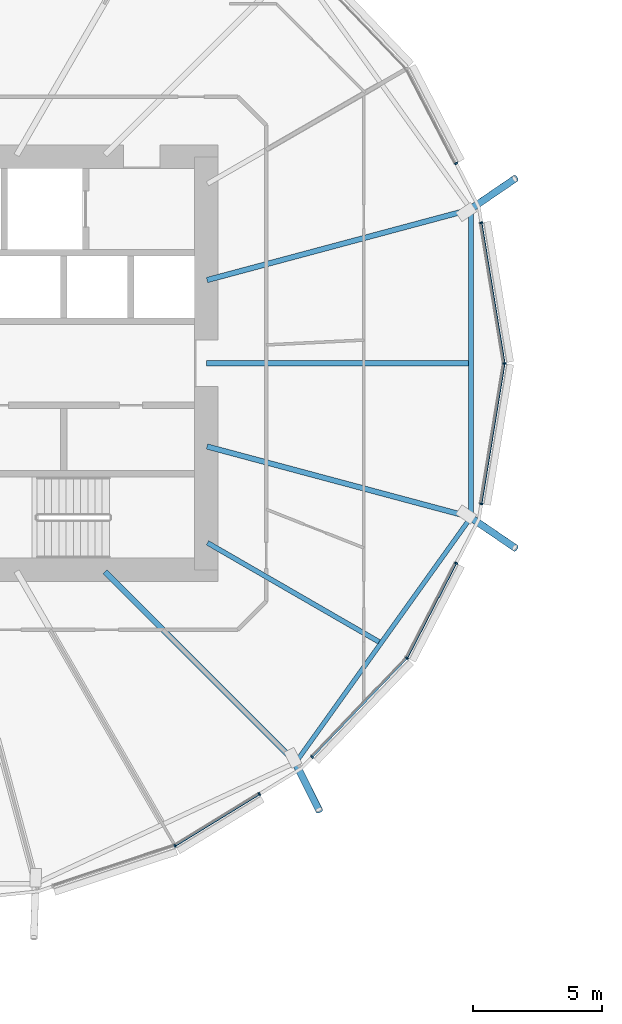
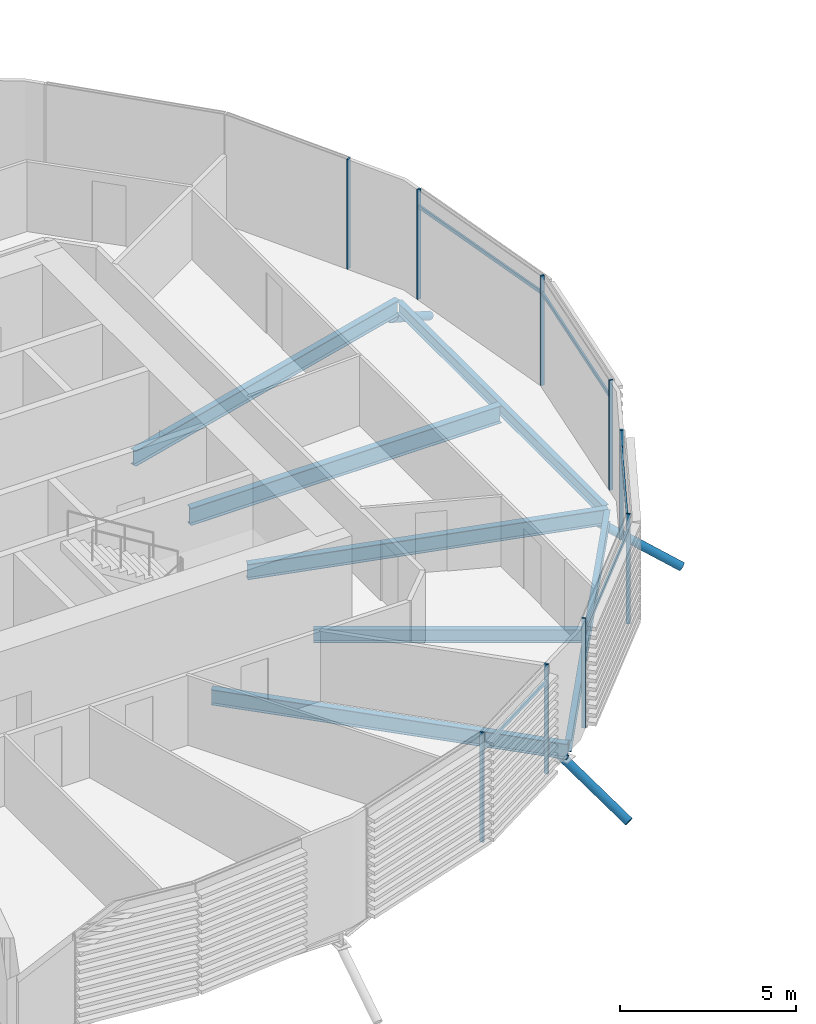
# One storey, part 7 of 38: 17 members, 7 beams, 1 element without a shape of its own.
"""IFC4 building model written with IfcOpenShell, lengths in metres."""

from ifc_helpers import new_model, si_unit, direction, frame, origin, origin_2d, place, context, subcontext, project, spatial, rectangle, hollow_circle, i_section, extrude, clip, halfspace, material, material_profile, profile_set, type_object, element, aggregate, save


model = new_model("IFC4")

# Units and contexts
model_context = context("Model", 3, precision=1e-05, world=origin(), true_north=direction((0.0, 1.0)))
body_context = subcontext(model_context, "Body", "Model", "MODEL_VIEW")
ifc_project = project(units=[si_unit("LENGTHUNIT", "METRE"), si_unit("AREAUNIT", "SQUARE_METRE"), si_unit("VOLUMEUNIT", "CUBIC_METRE"), si_unit("PLANEANGLEUNIT", "RADIAN"), si_unit("MASSUNIT", "GRAM", prefix="KILO")], contexts=[model_context])

# Site, building, storey
site_placement = place(None, origin())
site = spatial("IfcSite", under=ifc_project, at=site_placement, CompositionType="ELEMENT")
building_placement = place(site_placement, origin())
building = spatial("IfcBuilding", under=site, at=building_placement, Name="Rimbun Link Towers", CompositionType="ELEMENT")
storey_placement = place(building_placement, frame((0.0, 0.0, 68.0)))
storey = spatial("IfcBuildingStorey", under=building, at=storey_placement, Name="L16", CompositionType="ELEMENT", Elevation=68.0)

# Curtain wall, members
ifc_material_1 = material(Name="Aluminium 6063-T6 and low-iron glass", Category="aluminium")
curtain_wall_type = type_object("IfcCurtainWallType", Name="CW1 unitised vision wall", PredefinedType="NOTDEFINED", material=ifc_material_1)
curtain_wall_placement = place(storey_placement, origin())
curtain_wall = element("IfcCurtainWall", 1, at=curtain_wall_placement, inside=storey, type_object=curtain_wall_type, Name="CW1 L16 T1", PredefinedType="NOTDEFINED")
ifc_material_2 = material(Name="Aluminium 6063-T6", Category="aluminium")
ifc_material_profile_1 = material_profile(ifc_material_2, rectangle(XDim=0.1201171875, YDim=0.06005859375, at=origin_2d()), Name="MULLION 60X120")
ifc_profile_set_1 = profile_set([ifc_material_profile_1], Name="Aluminium 6063-T6")
member_type_1 = type_object("IfcMemberType", Name="CW1 mullion 60X120", PredefinedType="MULLION", material=ifc_profile_set_1)
member_1_placement = place(storey_placement, frame((-9.090576171875, 5.447265625, 0.0), z_axis=(0.0, 0.0, 1.0), x_axis=(0.986748097792, 0.162259642251, 0.0)))
member_1 = element("IfcMember", 2, at=member_1_placement, type_object=member_type_1, Name="CW1 mullion", PredefinedType="MULLION", context=body_context, shape_type="SweptSolid", body=[
    extrude(rectangle(XDim=0.1201171875, YDim=0.06005859375, at=origin_2d()), origin(), (0.0, 0.0, 1.0), 3.800048828125),
])
member_2_placement = place(storey_placement, frame((-8.19580078125, 0.0, 0.0), z_axis=(0.0, 0.0, 1.0), x_axis=(1.0, 0.0, 0.0)))
member_2 = element("IfcMember", 3, at=member_2_placement, type_object=member_type_1, Name="CW1 mullion", PredefinedType="MULLION", context=body_context, shape_type="SweptSolid", body=[
    extrude(rectangle(XDim=0.1201171875, YDim=0.06005859375, at=origin_2d()), origin(), (0.0, 0.0, 1.0), 3.800048828125),
])
member_3_placement = place(storey_placement, frame((-10.067138671875, 7.74462890625, 0.0), z_axis=(0.0, 0.0, 1.0), x_axis=(0.888148629228, 0.45955632125, 0.0)))
member_3 = element("IfcMember", 4, at=member_3_placement, type_object=member_type_1, Name="CW1 mullion", PredefinedType="MULLION", context=body_context, shape_type="SweptSolid", body=[
    extrude(rectangle(XDim=0.1201171875, YDim=0.06005859375, at=origin_2d()), origin(), (0.0, 0.0, 1.0), 3.800048828125),
])
member_4_placement = place(storey_placement, frame((-20.959716796875, -18.699951171875, 0.0), z_axis=(0.0, 0.0, 1.0), x_axis=(0.421698890318, -0.906735929532, 0.0)))
member_4 = element("IfcMember", 5, at=member_4_placement, type_object=member_type_1, Name="CW1 mullion", PredefinedType="MULLION", context=body_context, shape_type="SweptSolid", body=[
    extrude(rectangle(XDim=0.1201171875, YDim=0.06005859375, at=origin_2d()), origin(), (0.0, 0.0, 1.0), 3.800048828125),
])
member_5_placement = place(storey_placement, frame((-17.690185546875, -16.69287109375, 0.0), z_axis=(0.0, 0.0, 1.0), x_axis=(0.523239240316, -0.852185835011, 0.0)))
member_5 = element("IfcMember", 6, at=member_5_placement, type_object=member_type_1, Name="CW1 mullion", PredefinedType="MULLION", context=body_context, shape_type="SweptSolid", body=[
    extrude(rectangle(XDim=0.1201171875, YDim=0.06005859375, at=origin_2d()), origin(), (0.0, 0.0, 1.0), 3.800048828125),
])
member_6_placement = place(storey_placement, frame((-11.972412109375, -11.42529296875, 0.0), z_axis=(0.0, 0.0, 1.0), x_axis=(0.813351214919, -0.581772980801, 0.0)))
member_6 = element("IfcMember", 7, at=member_6_placement, type_object=member_type_1, Name="CW1 mullion", PredefinedType="MULLION", context=body_context, shape_type="SweptSolid", body=[
    extrude(rectangle(XDim=0.1201171875, YDim=0.06005859375, at=origin_2d()), origin(), (0.0, 0.0, 1.0), 3.800048828125),
])
member_7_placement = place(storey_placement, frame((-15.643798828125, -15.256103515625, 0.0), z_axis=(0.0, 0.0, 1.0), x_axis=(0.721854427226, -0.692044930546, 0.0)))
member_7 = element("IfcMember", 8, at=member_7_placement, type_object=member_type_1, Name="CW1 mullion", PredefinedType="MULLION", context=body_context, shape_type="SweptSolid", body=[
    extrude(rectangle(XDim=0.1201171875, YDim=0.06005859375, at=origin_2d()), origin(), (0.0, 0.0, 1.0), 3.800048828125),
])
member_8_placement = place(storey_placement, frame((-10.067138671875, -7.74462890625, 0.0), z_axis=(0.0, 0.0, 1.0), x_axis=(0.888148629228, -0.45955632125, 0.0)))
member_8 = element("IfcMember", 9, at=member_8_placement, type_object=member_type_1, Name="CW1 mullion", PredefinedType="MULLION", context=body_context, shape_type="SweptSolid", body=[
    extrude(rectangle(XDim=0.1201171875, YDim=0.06005859375, at=origin_2d()), origin(), (0.0, 0.0, 1.0), 3.800048828125),
])
member_9_placement = place(storey_placement, frame((-9.090576171875, -5.447265625, 0.0), z_axis=(0.0, 0.0, 1.0), x_axis=(0.986748097792, -0.162259642251, 0.0)))
member_9 = element("IfcMember", 10, at=member_9_placement, type_object=member_type_1, Name="CW1 mullion", PredefinedType="MULLION", context=body_context, shape_type="SweptSolid", body=[
    extrude(rectangle(XDim=0.1201171875, YDim=0.06005859375, at=origin_2d()), origin(), (0.0, 0.0, 1.0), 3.800048828125),
])
ifc_material_3 = material(Name="Aluminium 6063-T6", Category="aluminium")
ifc_material_profile_2 = material_profile(ifc_material_3, rectangle(XDim=0.06005859375, YDim=0.1201171875, at=origin_2d()), Name="TRANSOM 60X120")
ifc_profile_set_2 = profile_set([ifc_material_profile_2], Name="Aluminium 6063-T6")
member_type_2 = type_object("IfcMemberType", Name="CW1 transom 60X120", PredefinedType="USERDEFINED", material=ifc_profile_set_2)
member_10_placement = place(storey_placement, frame((-9.087646484375, 5.41748046875, 3.199951171875), z_axis=(0.162234082271, -0.986752300504, 0.0), x_axis=(0.986752300504, 0.162234082271, 0.0)))
member_10 = element("IfcMember", 11, at=member_10_placement, type_object=member_type_2, Name="CW1 transom", ObjectType="TRANSOM", PredefinedType="USERDEFINED", context=body_context, shape_type="SweptSolid", body=[
    extrude(rectangle(XDim=0.06005859375, YDim=0.1201171875, at=origin_2d()), origin(), (0.0, 0.0, 1.0), 5.45068359375),
])
member_11_placement = place(storey_placement, frame((-17.716796875, -16.706787109375, 3.199951171875), z_axis=(-0.852184905229, -0.523240754624, 0.0), x_axis=(0.523240754624, -0.852184905229, 0.0)))
member_11 = element("IfcMember", 12, at=member_11_placement, type_object=member_type_2, Name="CW1 transom", ObjectType="TRANSOM", PredefinedType="USERDEFINED", context=body_context, shape_type="SweptSolid", body=[
    extrude(rectangle(XDim=0.06005859375, YDim=0.1201171875, at=origin_2d()), origin(), (0.0, 0.0, 1.0), 3.76953125),
])
member_12_placement = place(storey_placement, frame((-12.0, -11.452392578125, 3.199951171875), z_axis=(-0.692056205714, -0.721843617505, 0.0), x_axis=(0.721843617505, -0.692056205714, 0.0)))
member_12 = element("IfcMember", 13, at=member_12_placement, type_object=member_type_2, Name="CW1 transom", ObjectType="TRANSOM", PredefinedType="USERDEFINED", context=body_context, shape_type="SweptSolid", body=[
    extrude(rectangle(XDim=0.06005859375, YDim=0.1201171875, at=origin_2d()), origin(), (0.0, 0.0, 1.0), 5.2373046875),
])
member_13_placement = place(storey_placement, frame((-10.08251953125, -7.770263671875, 3.199951171875), z_axis=(-0.45955652042, -0.888148526171, 0.0), x_axis=(0.888148526171, -0.45955652042, 0.0)))
member_13 = element("IfcMember", 14, at=member_13_placement, type_object=member_type_2, Name="CW1 transom", ObjectType="TRANSOM", PredefinedType="USERDEFINED", context=body_context, shape_type="SweptSolid", body=[
    extrude(rectangle(XDim=0.06005859375, YDim=0.1201171875, at=origin_2d()), origin(), (0.0, 0.0, 1.0), 4.076416015625),
])
member_14_placement = place(storey_placement, frame((-8.203369140625, -0.0390625, 3.199951171875), z_axis=(-0.162234082271, -0.986752300504, 0.0), x_axis=(0.986752300504, -0.162234082271, 0.0)))
member_14 = element("IfcMember", 15, at=member_14_placement, type_object=member_type_2, Name="CW1 transom", ObjectType="TRANSOM", PredefinedType="USERDEFINED", context=body_context, shape_type="SweptSolid", body=[
    extrude(rectangle(XDim=0.06005859375, YDim=0.1201171875, at=origin_2d()), origin(), (0.0, 0.0, 1.0), 5.45068359375),
])
aggregate(curtain_wall, [member_1, member_2, member_3, member_4, member_5, member_6, member_7, member_8, member_9, member_10, member_11, member_12, member_13, member_14])

# Members
ifc_material_4 = material(Name="Steel S355J2H", Category="steel")
ifc_material_profile_3 = material_profile(ifc_material_4, hollow_circle(Radius=0.136474609375, WallThickness=0.012451171875, at=origin_2d()), Name="CHS 273x12.5")
ifc_profile_set_3 = profile_set([ifc_material_profile_3], Name="Steel S355J2H")
member_type_3 = type_object("IfcMemberType", Name="Floor edge link CHS 273x12.5", PredefinedType="BRACE", material=ifc_profile_set_3)
member_15_placement = place(storey_placement, frame((-9.542724609375, 5.950439453125, -0.81005859375), z_axis=(0.709572769408, 0.484749932232, -0.511394161206), x_axis=(-0.564091506666, 0.825712281674, 0.0)))
element("IfcMember", 16, at=member_15_placement, inside=storey, type_object=member_type_3, Name="Floor edge link T1 L16 01", PredefinedType="BRACE", context=body_context, shape_type="Clipping", body=[
    clip(extrude(hollow_circle(Radius=0.136474609375, WallThickness=0.012451171875, at=origin_2d()), frame((0.0, 0.0, -0.478271484375)), (0.0, 0.0, 1.0), 2.989013671875), halfspace(frame((0.0, 0.0, -0.224853515625), z_axis=(0.0, 0.859346270071, -0.511394161206)), False)),
])
member_16_placement = place(storey_placement, frame((-16.319580078125, -15.430419921875, -0.809814453125), z_axis=(0.382890697055, -0.76744869479, -0.514215144637), x_axis=(0.894815654671, 0.44643582311, 0.0)))
element("IfcMember", 17, at=member_16_placement, inside=storey, type_object=member_type_3, Name="Floor edge link T1 L16 21", PredefinedType="BRACE", context=body_context, shape_type="Clipping", body=[
    clip(extrude(hollow_circle(Radius=0.136474609375, WallThickness=0.012451171875, at=origin_2d()), frame((0.0, 0.0, -0.474609375)), (0.0, 0.0, 1.0), 2.9638671875), halfspace(frame((0.0, 0.0, -0.22314453125), z_axis=(0.0, 0.857661229756, -0.514215144637)), False)),
])
member_17_placement = place(storey_placement, frame((-9.542724609375, -5.950439453125, -0.81005859375), z_axis=(0.709572769408, -0.484749932232, -0.511394161206), x_axis=(0.564091506666, 0.825712281674, 0.0)))
element("IfcMember", 18, at=member_17_placement, inside=storey, type_object=member_type_3, Name="Floor edge link T1 L16 23", PredefinedType="BRACE", context=body_context, shape_type="Clipping", body=[
    clip(extrude(hollow_circle(Radius=0.136474609375, WallThickness=0.012451171875, at=origin_2d()), frame((0.0, 0.0, -0.478271484375)), (0.0, 0.0, 1.0), 2.989013671875), halfspace(frame((0.0, 0.0, -0.224853515625), z_axis=(0.0, 0.859346270071, -0.511394161206)), False)),
])

# Beams
ifc_material_5 = material(Name="Steel S355J2", Category="steel")
ifc_material_profile_4 = material_profile(ifc_material_5, i_section(OverallWidth=0.177978515625, OverallDepth=0.406494140625, WebThickness=0.0078125, FlangeThickness=0.0126953125, at=origin_2d()), Name="UB 406x178x60")
ifc_profile_set_4 = profile_set([ifc_material_profile_4], Name="Steel S355J2")
beam_type_1 = type_object("IfcBeamType", Name="UB 406x178x60", PredefinedType="BEAM", material=ifc_profile_set_4)
beam_1_placement = place(storey_placement, frame((-16.221923828125, -15.378662109375, -0.36328125), z_axis=(0.581367171952, 0.813641328459, 0.0), x_axis=(-0.813641328459, 0.581367171952, 0.0)))
element("IfcBeam", 19, at=beam_1_placement, inside=storey, type_object=beam_type_1, Name="Edge beam T1 L16 21-23", PredefinedType="BEAM", context=body_context, shape_type="SweptSolid", body=[
    extrude(i_section(OverallWidth=0.177978515625, OverallDepth=0.406494140625, WebThickness=0.0078125, FlangeThickness=0.0126953125, at=origin_2d()), origin(), (0.0, 0.0, 1.0), 11.458984375),
])
beam_2_placement = place(storey_placement, frame((-9.494384765625, -5.85400390625, -0.36328125), z_axis=(0.0, 1.0, 0.0), x_axis=(-1.0, 0.0, 0.0)))
element("IfcBeam", 20, at=beam_2_placement, inside=storey, type_object=beam_type_1, Name="Edge beam T1 L16 23-01", PredefinedType="BEAM", context=body_context, shape_type="SweptSolid", body=[
    extrude(i_section(OverallWidth=0.177978515625, OverallDepth=0.406494140625, WebThickness=0.0078125, FlangeThickness=0.0126953125, at=origin_2d()), origin(), (0.0, 0.0, 1.0), 11.7080078125),
])
ifc_material_6 = material(Name="Steel S355J2", Category="steel")
ifc_material_profile_5 = material_profile(ifc_material_6, i_section(OverallWidth=0.18994140625, OverallDepth=0.453369140625, WebThickness=0.008544921875, FlangeThickness=0.0126953125, at=origin_2d()), Name="UB 457x191x67")
ifc_profile_set_5 = profile_set([ifc_material_profile_5], Name="Steel S355J2")
beam_type_2 = type_object("IfcBeamType", Name="UB 457x191x67", PredefinedType="BEAM", material=ifc_profile_set_5)
beam_3_placement = place(storey_placement, frame((-19.70166015625, -6.9560546875, -0.38671875), z_axis=(0.866012339475, -0.500022627366, 0.0), x_axis=(0.500022627366, 0.866012339475, 0.0)))
element("IfcBeam", 21, at=beam_3_placement, inside=storey, type_object=beam_type_2, Name="Radial beam T1 L16 22", PredefinedType="BEAM", context=body_context, shape_type="SweptSolid", body=[
    extrude(i_section(OverallWidth=0.18994140625, OverallDepth=0.453369140625, WebThickness=0.008544921875, FlangeThickness=0.0126953125, at=origin_2d()), origin(), (0.0, 0.0, 1.0), 7.674072265625),
])
ifc_material_7 = material(Name="Steel S355J2", Category="steel")
ifc_material_profile_6 = material_profile(ifc_material_7, i_section(OverallWidth=0.209228515625, OverallDepth=0.533203125, WebThickness=0.010009765625, FlangeThickness=0.015625, at=origin_2d()), Name="UB 533x210x92")
ifc_profile_set_6 = profile_set([ifc_material_profile_6], Name="Steel S355J2")
beam_type_3 = type_object("IfcBeamType", Name="UB 533x210x92", PredefinedType="BEAM", material=ifc_profile_set_6)
beam_4_placement = place(storey_placement, frame((-19.721923828125, 3.222900390625, -0.426513671875), z_axis=(0.96592540877, 0.2588206033, 0.0), x_axis=(-0.2588206033, 0.96592540877, 0.0)))
element("IfcBeam", 22, at=beam_4_placement, inside=storey, type_object=beam_type_3, Name="Radial beam T1 L16 01", PredefinedType="BEAM", context=body_context, shape_type="SweptSolid", body=[
    extrude(i_section(OverallWidth=0.209228515625, OverallDepth=0.533203125, WebThickness=0.010009765625, FlangeThickness=0.015625, at=origin_2d()), origin(), (0.0, 0.0, 1.0), 10.58837890625),
])
beam_5_placement = place(storey_placement, frame((-23.67529296875, -8.07470703125, -0.426513671875), z_axis=(0.707106781187, -0.707106781187, 0.0), x_axis=(0.707106781187, 0.707106781187, 0.0)))
element("IfcBeam", 23, at=beam_5_placement, inside=storey, type_object=beam_type_3, Name="Radial beam T1 L16 21", PredefinedType="BEAM", context=body_context, shape_type="SweptSolid", body=[
    extrude(i_section(OverallWidth=0.209228515625, OverallDepth=0.533203125, WebThickness=0.010009765625, FlangeThickness=0.015625, at=origin_2d()), origin(), (0.0, 0.0, 1.0), 10.45263671875),
])
beam_6_placement = place(storey_placement, frame((-19.721923828125, -3.222900390625, -0.426513671875), z_axis=(0.96592540877, -0.2588206033, 0.0), x_axis=(0.2588206033, 0.96592540877, 0.0)))
element("IfcBeam", 24, at=beam_6_placement, inside=storey, type_object=beam_type_3, Name="Radial beam T1 L16 23", PredefinedType="BEAM", context=body_context, shape_type="SweptSolid", body=[
    extrude(i_section(OverallWidth=0.209228515625, OverallDepth=0.533203125, WebThickness=0.010009765625, FlangeThickness=0.015625, at=origin_2d()), origin(), (0.0, 0.0, 1.0), 10.58837890625),
])
ifc_material_8 = material(Name="Steel S355J2", Category="steel")
ifc_material_profile_7 = material_profile(ifc_material_8, i_section(OverallWidth=0.2275390625, OverallDepth=0.6025390625, WebThickness=0.010498046875, FlangeThickness=0.014892578125, at=origin_2d()), Name="UB 610x229x101")
ifc_profile_set_7 = profile_set([ifc_material_profile_7], Name="Steel S355J2")
beam_type_4 = type_object("IfcBeamType", Name="UB 610x229x101", PredefinedType="BEAM", material=ifc_profile_set_7)
beam_7_placement = place(storey_placement, frame((-19.7490234375, 0.0, -0.461181640625), z_axis=(1.0, 0.0, 0.0), x_axis=(0.0, 1.0, 0.0)))
element("IfcBeam", 25, at=beam_7_placement, inside=storey, type_object=beam_type_4, Name="Radial beam T1 L16 00", PredefinedType="BEAM", context=body_context, shape_type="SweptSolid", body=[
    extrude(i_section(OverallWidth=0.2275390625, OverallDepth=0.6025390625, WebThickness=0.010498046875, FlangeThickness=0.014892578125, at=origin_2d()), origin(), (0.0, 0.0, 1.0), 10.16455078125),
])

save(model, "model.ifc")
